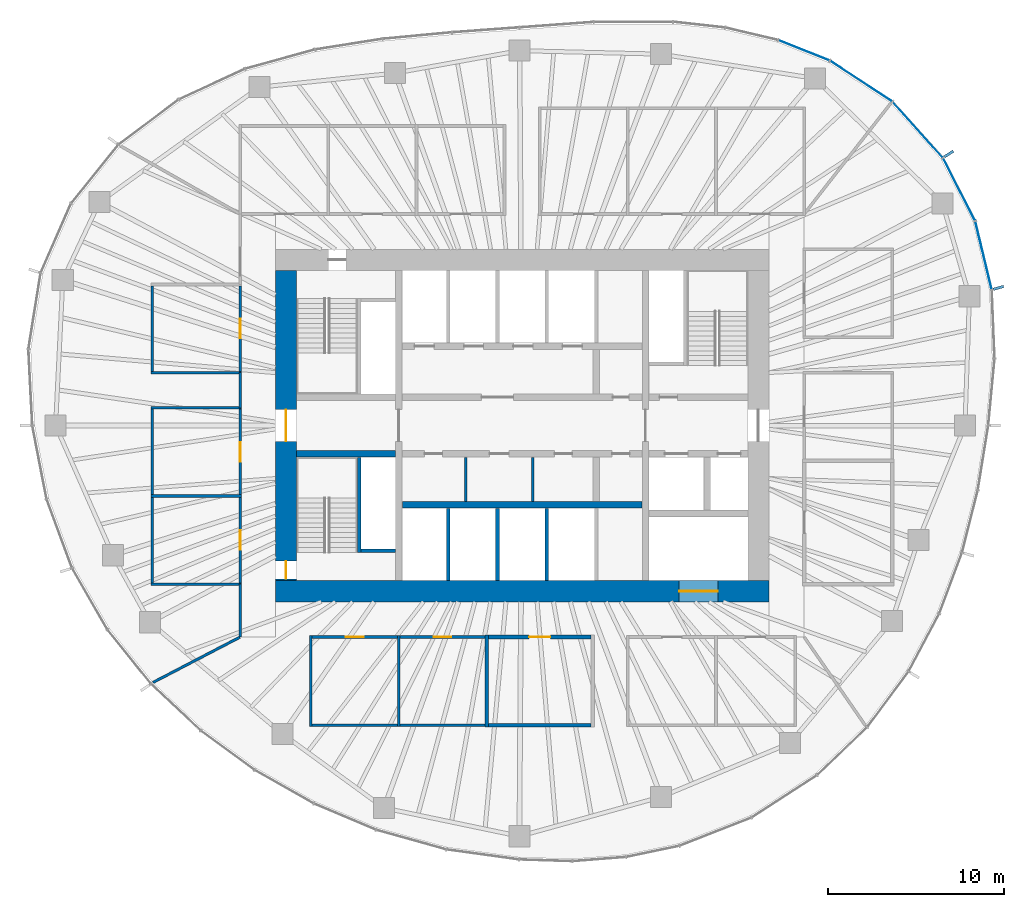
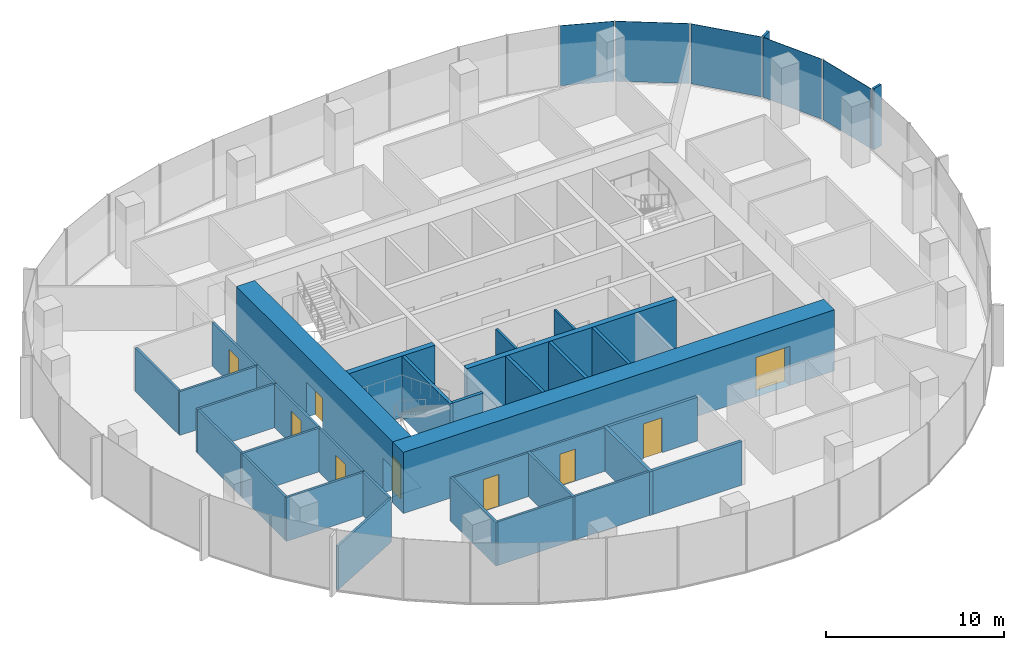
# One storey, part 8 of 12: 33 walls, 9 doors, 7 plates, 9 openings, 3 elements without a shape of their own.
"""IFC4 building model written with IfcOpenShell, lengths in metres."""

from ifc_helpers import new_model, si_unit, direction, frame, frame_2d, origin, origin_2d, place, context, subcontext, project, spatial, rectangle, extrude, material, layer, layer_set, type_object, element, fill, aggregate, save


model = new_model("IFC4")

# Units and contexts
model_context = context("Model", 3, precision=1e-05, world=origin(), true_north=direction((0.0, 1.0)))
body_context = subcontext(model_context, "Body", "Model", "MODEL_VIEW")
ifc_project = project(units=[si_unit("LENGTHUNIT", "METRE"), si_unit("AREAUNIT", "SQUARE_METRE"), si_unit("VOLUMEUNIT", "CUBIC_METRE"), si_unit("PLANEANGLEUNIT", "RADIAN"), si_unit("MASSUNIT", "GRAM", prefix="KILO")], contexts=[model_context])

# Site, building, storey
site_placement = place(None, origin())
site = spatial("IfcSite", under=ifc_project, at=site_placement, CompositionType="ELEMENT")
building_placement = place(site_placement, origin())
building = spatial("IfcBuilding", under=site, at=building_placement, Name="Ghaith Harvest Tower", CompositionType="ELEMENT")
storey_placement = place(building_placement, frame((0.0, 0.0, 249.39990234375)))
storey = spatial("IfcBuildingStorey", under=building, at=storey_placement, Name="L55", CompositionType="ELEMENT", Elevation=249.39990234375)

# Curtain wall, plates
ifc_material_1 = material(Name="Black anodised aluminium and fritted glass", Category="aluminium")
curtain_wall_type = type_object("IfcCurtainWallType", Name="CW-H CURTAIN WALL", PredefinedType="NOTDEFINED", material=ifc_material_1)
curtain_wall_1_placement = place(storey_placement, origin())
curtain_wall_1 = element("IfcCurtainWall", 1, at=curtain_wall_1_placement, inside=storey, type_object=curtain_wall_type, Name="Curtain wall CW-H bay 02 L55", PredefinedType="NOTDEFINED")
ifc_material_2 = material(Name="Glass, dark solar-control fritted double glazed unit", Category="glass")
ifc_layer_1 = layer(ifc_material_2, 0.030029296875)
ifc_layer_set_1 = layer_set([ifc_layer_1], Name="CW-H VISION PANEL")
plate_type_1 = type_object("IfcPlateType", Name="CW-H VISION PANEL", PredefinedType="CURTAIN_PANEL", material=ifc_layer_set_1)
plate_1_placement = place(storey_placement, frame((26.1767578125, 9.6533203125, 0.080078125), z_axis=(0.0, 0.0, 1.0), x_axis=(-0.233894000303, 0.972262102842, 0.0)))
plate_1 = element("IfcPlate", 2, at=plate_1_placement, type_object=plate_type_1, Name="CW-H glass unit 1 bay 02 L55", PredefinedType="CURTAIN_PANEL", context=body_context, shape_type="SweptSolid", body=[
    extrude(rectangle(XDim=3.935546875, YDim=0.030029296875, at=origin_2d()), origin(), (0.0, 0.0, 1.0), 4.1201171875),
])
plate_2_placement = place(storey_placement, frame((24.790771484375, 13.399658203125, 0.080078125), z_axis=(0.0, 0.0, 1.0), x_axis=(-0.454915320985, 0.890534699342, 0.0)))
plate_2 = element("IfcPlate", 3, at=plate_2_placement, type_object=plate_type_1, Name="CW-H glass unit 2 bay 02 L55", PredefinedType="CURTAIN_PANEL", context=body_context, shape_type="SweptSolid", body=[
    extrude(rectangle(XDim=3.949462890625, YDim=0.030029296875, at=origin_2d()), origin(), (0.0, 0.0, 1.0), 4.1201171875),
])
aggregate(curtain_wall_1, [plate_1, plate_2])

curtain_wall_2_placement = place(storey_placement, origin())
curtain_wall_2 = element("IfcCurtainWall", 4, at=curtain_wall_2_placement, inside=storey, type_object=curtain_wall_type, Name="Curtain wall CW-H bay 03 L55", PredefinedType="NOTDEFINED")
plate_3_placement = place(storey_placement, frame((22.44384765625, 16.783935546875, 0.080078125), z_axis=(0.0, 0.0, 1.0), x_axis=(-0.668757736889, 0.743480389352, 0.0)))
plate_3 = element("IfcPlate", 5, at=plate_3_placement, type_object=plate_type_1, Name="CW-H glass unit 1 bay 03 L55", PredefinedType="CURTAIN_PANEL", context=body_context, shape_type="SweptSolid", body=[
    extrude(rectangle(XDim=4.19775390625, YDim=0.030029296875, at=origin_2d()), origin(), (0.0, 0.0, 1.0), 4.1201171875),
])
plate_4_placement = place(storey_placement, frame((19.236328125, 19.539306640625, 0.080078125), z_axis=(0.0, 0.0, 1.0), x_axis=(-0.836276741583, 0.548307588392, 0.0)))
plate_4 = element("IfcPlate", 6, at=plate_4_placement, type_object=plate_type_1, Name="CW-H glass unit 2 bay 03 L55", PredefinedType="CURTAIN_PANEL", context=body_context, shape_type="SweptSolid", body=[
    extrude(rectangle(XDim=4.169677734375, YDim=0.030029296875, at=origin_2d()), origin(), (0.0, 0.0, 1.0), 4.1201171875),
])
aggregate(curtain_wall_2, [plate_3, plate_4])

# Curtain wall, plate
curtain_wall_3_placement = place(storey_placement, origin())
curtain_wall_3 = element("IfcCurtainWall", 7, at=curtain_wall_3_placement, inside=storey, type_object=curtain_wall_type, Name="Curtain wall CW-H bay 04 L55", PredefinedType="NOTDEFINED")
plate_5_placement = place(storey_placement, frame((15.993408203125, 21.287841796875, 0.080078125), z_axis=(0.0, 0.0, 1.0), x_axis=(-0.929107322045, 0.369810200133, 0.0)))
plate_5 = element("IfcPlate", 8, at=plate_5_placement, type_object=plate_type_1, Name="CW-H glass unit 1 bay 04 L55", PredefinedType="CURTAIN_PANEL", context=body_context, shape_type="SweptSolid", body=[
    extrude(rectangle(XDim=3.075927734375, YDim=0.030029296875, at=origin_2d()), origin(), (0.0, 0.0, 1.0), 4.1201171875),
])
aggregate(curtain_wall_3, [plate_5])

# Plates
ifc_material_3 = material(Name="Glassfibre-reinforced concrete", Category="concrete")
ifc_layer_2 = layer(ifc_material_3, 0.14990234375)
ifc_layer_set_2 = layer_set([ifc_layer_2], Name="SUN-BREAKER FIN 600x150")
plate_type_2 = type_object("IfcPlateType", Name="SUN-BREAKER FIN 600x150", PredefinedType="USERDEFINED", material=ifc_layer_set_2)
for number, where, z_axis, x_axis, name in (
    (9, (27.03076171875, 7.8125, 0.0), (0.0, 0.0, 1.0), (0.960680349985, 0.277656739792, 0.0), "Sun-breaker fin CW-H 1 bay 02 L55"),
    (10, (24.211669921875, 15.408447265625, 0.0), (0.0, 0.0, 1.0), (0.843643971464, 0.536903016766, 0.0), "Sun-breaker fin CW-H 1 bay 03 L55"),
):
    element("IfcPlate", number, at=place(storey_placement, frame(where, z_axis=z_axis, x_axis=x_axis)), inside=storey, type_object=plate_type_2, Name=name, ObjectType="SUN-BREAKER FIN", PredefinedType="USERDEFINED", context=body_context, shape_type="SweptSolid", body=[
        extrude(rectangle(XDim=0.60009765625, YDim=0.14990234375, at=origin_2d()), origin(), (0.0, 0.0, 1.0), 4.199951171875),
    ])

# Wall
ifc_material_4 = material(Name="Twin-stud gypsum board, acoustic", Category="gypsum")
ifc_layer_3 = layer(ifc_material_4, 0.199951171875)
ifc_layer_set_3 = layer_set([ifc_layer_3], Name="ACOUSTIC PARTITION 200")
wall_type_1 = type_object("IfcWallType", Name="ACOUSTIC PARTITION 200", PredefinedType="PARTITIONING", material=ifc_layer_set_3)
wall_1_placement = place(storey_placement, frame((-2.0, -11.89990234375, 0.0), z_axis=(0.0, 0.0, 1.0), x_axis=(0.0, -1.0, 0.0)))
element("IfcWall", 11, at=wall_1_placement, inside=storey, type_object=wall_type_1, Name="Partition L55 row S4 cross wall 3", PredefinedType="PARTITIONING", context=body_context, shape_type="SweptSolid", body=[
    extrude(rectangle(XDim=5.2001953125, YDim=0.199951171875, at=frame_2d((2.60009765625, 0.0))), origin(), (0.0, 0.0, 1.0), 3.0),
])

# Wall, opening, door
wall_2_placement = place(storey_placement, frame((-1.89990234375, -12.0, 0.0), z_axis=(0.0, 0.0, 1.0), x_axis=(1.0, 0.0, 0.0)))
wall_2 = element("IfcWall", 12, at=wall_2_placement, inside=storey, type_object=wall_type_1, Name="Partition L55-11", PredefinedType="PARTITIONING", context=body_context, shape_type="SweptSolid", body=[
    extrude(rectangle(XDim=5.7998046875, YDim=0.199951171875, at=frame_2d((2.89990234375, 0.0))), origin(), (0.0, 0.0, 1.0), 3.0),
])
opening_1_placement = place(wall_2_placement, frame((2.300048828125, 0.0, 0.0)))
opening_1 = element("IfcOpeningElement", 13, at=opening_1_placement, cuts=wall_2, Name="Opening 55-031", PredefinedType="OPENING", context=body_context, shape_type="SweptSolid", body=[
    extrude(rectangle(XDim=1.199951171875, YDim=2.39990234375, at=frame_2d((0.60009765625, 1.199951171875))), frame((0.0, 0.10986328125, 0.0), z_axis=(0.0, -1.0, 0.0), x_axis=(1.0, 0.0, 0.0)), (0.0, 0.0, 1.0), 0.219970703125),
])
ifc_material_5 = material(Name="Timber door", Category="wood")
door_type_1 = type_object("IfcDoorType", Name="D11 GLAZED 1200x2400", OperationType="SINGLE_SWING_LEFT", PredefinedType="DOOR", material=ifc_material_5)
door_1_placement = place(opening_1_placement, origin())
door_1 = element("IfcDoor", 14, at=door_1_placement, inside=storey, type_object=door_type_1, Name="Meeting room door", OperationType="SINGLE_SWING_LEFT", OverallHeight=2.39990234375, OverallWidth=1.199951171875, PredefinedType="DOOR", context=body_context, shape_type="SweptSolid", body=[
    extrude(rectangle(XDim=1.199951171875, YDim=2.39990234375, at=frame_2d((0.60009765625, 1.199951171875))), frame((0.0, 0.02490234375, 0.0), z_axis=(0.0, -1.0, 0.0), x_axis=(1.0, 0.0, 0.0)), (0.0, 0.0, 1.0), 0.050048828125),
])
fill(opening_1, door_1)

# Walls
wall_3_placement = place(storey_placement, frame((-1.89990234375, -17.0, 0.0), z_axis=(0.0, 0.0, 1.0), x_axis=(1.0, 0.0, 0.0)))
element("IfcWall", 15, at=wall_3_placement, inside=storey, type_object=wall_type_1, Name="Partition L55-11", PredefinedType="PARTITIONING", context=body_context, shape_type="SweptSolid", body=[
    extrude(rectangle(XDim=5.7998046875, YDim=0.199951171875, at=frame_2d((2.89990234375, 0.0))), origin(), (0.0, 0.0, 1.0), 3.0),
])
ifc_material_6 = material(Name="Concrete blockwork, fair-faced", Category="masonry")
ifc_layer_4 = layer(ifc_material_6, 0.139892578125)
ifc_layer_set_4 = layer_set([ifc_layer_4], Name="CORE PARTITION 140")
wall_type_2 = type_object("IfcWallType", Name="CORE PARTITION 140", PredefinedType="PARTITIONING", material=ifc_layer_set_4)
for number, where, z_axis, x_axis, name in (
    (16, (-3.199951171875, -1.800048828125, 0.0), (0.0, 0.0, 1.0), (0.0, -1.0, 0.0), "Core partition L55"),
    (17, (0.60009765625, -1.800048828125, 0.0), (0.0, 0.0, 1.0), (0.0, -1.0, 0.0), "Core partition L55"),
):
    element("IfcWall", number, at=place(storey_placement, frame(where, z_axis=z_axis, x_axis=x_axis)), inside=storey, type_object=wall_type_2, Name=name, PredefinedType="PARTITIONING", context=body_context, shape_type="SweptSolid", body=[
        extrude(rectangle(XDim=2.5, YDim=0.139892578125, at=frame_2d((1.25, 0.0))), origin(), (0.0, 0.0, 1.0), 3.9501953125),
    ])

# Wall, opening, door
ifc_material_7 = material(Name="Concrete C60/75", Category="concrete")
ifc_layer_5 = layer(ifc_material_7, 1.199951171875)
ifc_layer_set_5 = layer_set([ifc_layer_5], Name="CORE WALL CW1200 C60")
wall_type_3 = type_object("IfcWallType", Name="CORE WALL CW1200 C60", PredefinedType="SHEAR", material=ifc_layer_set_5)
wall_4_placement = place(storey_placement, frame((-14.0, -9.39990234375, 0.0), z_axis=(0.0, 0.0, 1.0), x_axis=(1.0, 0.0, 0.0)))
wall_4 = element("IfcWall", 18, at=wall_4_placement, inside=storey, type_object=wall_type_3, Name="Core wall S L55", PredefinedType="SHEAR", context=body_context, shape_type="SweptSolid", body=[
    extrude(rectangle(XDim=28.0, YDim=1.199951171875, at=frame_2d((14.0, 0.0))), origin(), (0.0, 0.0, 1.0), 4.2001953125),
])
opening_2_placement = place(wall_4_placement, frame((22.89990234375, 0.0, 0.0)))
opening_2 = element("IfcOpeningElement", 19, at=opening_2_placement, cuts=wall_4, Name="Opening 55-020", PredefinedType="OPENING", context=body_context, shape_type="SweptSolid", body=[
    extrude(rectangle(XDim=2.199951171875, YDim=2.699951171875, at=frame_2d((1.10009765625, 1.35009765625))), frame((0.0, 0.60986328125, 0.0), z_axis=(0.0, -1.0, 0.0), x_axis=(1.0, 0.0, 0.0)), (0.0, 0.0, 1.0), 1.219970703125),
])
ifc_material_8 = material(Name="Steel fire door", Category="steel")
door_type_2 = type_object("IfcDoorType", Name="LD3 LANDING 2200x2700", OperationType="DOUBLE_DOOR_SLIDING", PredefinedType="DOOR", material=ifc_material_8)
door_2_placement = place(opening_2_placement, origin())
door_2 = element("IfcDoor", 20, at=door_2_placement, inside=storey, type_object=door_type_2, Name="Landing door, goods lift GL1", OperationType="DOUBLE_DOOR_SLIDING", OverallHeight=2.699951171875, OverallWidth=2.199951171875, PredefinedType="DOOR", context=body_context, shape_type="SweptSolid", body=[
    extrude(rectangle(XDim=2.199951171875, YDim=2.699951171875, at=frame_2d((1.10009765625, 1.35009765625))), frame((0.0, 0.02490234375, 0.0), z_axis=(0.0, -1.0, 0.0), x_axis=(1.0, 0.0, 0.0)), (0.0, 0.0, 1.0), 0.050048828125),
])
fill(opening_2, door_2)

# Wall, openings, doors
wall_5_placement = place(storey_placement, frame((-13.39990234375, 8.800048828125, 0.0), z_axis=(0.0, 0.0, 1.0), x_axis=(0.0, -1.0, 0.0)))
wall_5 = element("IfcWall", 21, at=wall_5_placement, inside=storey, type_object=wall_type_3, Name="Core wall W L55", PredefinedType="SHEAR", context=body_context, shape_type="SweptSolid", body=[
    extrude(rectangle(XDim=17.60009765625, YDim=1.199951171875, at=frame_2d((8.800048828125, 0.0))), origin(), (0.0, 0.0, 1.0), 4.2001953125),
])
opening_3_placement = place(wall_5_placement, frame((7.89990234375, 0.0, 0.0)))
opening_3 = element("IfcOpeningElement", 22, at=opening_3_placement, cuts=wall_5, Name="Opening 55-001", PredefinedType="OPENING", context=body_context, shape_type="SweptSolid", body=[
    extrude(rectangle(XDim=1.800048828125, YDim=2.39990234375, at=frame_2d((0.89990234375, 1.199951171875))), frame((0.0, 0.60986328125, 0.0), z_axis=(0.0, -1.0, 0.0), x_axis=(1.0, 0.0, 0.0)), (0.0, 0.0, 1.0), 1.219970703125),
])
opening_4_placement = place(wall_5_placement, frame((16.5, 0.0, 0.0)))
opening_4 = element("IfcOpeningElement", 23, at=opening_4_placement, cuts=wall_5, Name="Opening 55-006", PredefinedType="OPENING", context=body_context, shape_type="SweptSolid", body=[
    extrude(rectangle(XDim=1.0, YDim=2.39990234375, at=frame_2d((0.5, 1.199951171875))), frame((0.0, 0.60986328125, 0.0), z_axis=(0.0, -1.0, 0.0), x_axis=(1.0, 0.0, 0.0)), (0.0, 0.0, 1.0), 1.219970703125),
])
ifc_material_9 = material(Name="Steel fire door", Category="steel")
door_type_3 = type_object("IfcDoorType", Name="D3 FD90 1000x2400", OperationType="SINGLE_SWING_LEFT", PredefinedType="DOOR", material=ifc_material_9)
door_3_placement = place(opening_4_placement, origin())
door_3 = element("IfcDoor", 24, at=door_3_placement, inside=storey, type_object=door_type_3, Name="Stair ST3 door", OperationType="SINGLE_SWING_RIGHT", OverallHeight=2.39990234375, OverallWidth=1.0, PredefinedType="DOOR", context=body_context, shape_type="SweptSolid", body=[
    extrude(rectangle(XDim=1.0, YDim=2.39990234375, at=frame_2d((0.5, 1.199951171875))), frame((0.0, 0.02490234375, 0.0), z_axis=(0.0, -1.0, 0.0), x_axis=(1.0, 0.0, 0.0)), (0.0, 0.0, 1.0), 0.050048828125),
])
fill(opening_4, door_3)
ifc_material_10 = material(Name="Steel fire door", Category="steel")
door_type_4 = type_object("IfcDoorType", Name="D4 FD90 PAIR 1800x2400", OperationType="DOUBLE_DOOR_SINGLE_SWING", PredefinedType="DOOR", material=ifc_material_10)
door_4_placement = place(opening_3_placement, origin())
door_4 = element("IfcDoor", 25, at=door_4_placement, inside=storey, type_object=door_type_4, Name="West lobby doors", OperationType="DOUBLE_DOOR_SINGLE_SWING", OverallHeight=2.39990234375, OverallWidth=1.800048828125, PredefinedType="DOOR", context=body_context, shape_type="SweptSolid", body=[
    extrude(rectangle(XDim=1.800048828125, YDim=2.39990234375, at=frame_2d((0.89990234375, 1.199951171875))), frame((0.0, 0.02490234375, 0.0), z_axis=(0.0, -1.0, 0.0), x_axis=(1.0, 0.0, 0.0)), (0.0, 0.0, 1.0), 0.050048828125),
])
fill(opening_3, door_4)

# Walls
ifc_material_11 = material(Name="Concrete blockwork, 2-hour", Category="masonry")
ifc_layer_6 = layer(ifc_material_11, 0.199951171875)
ifc_layer_set_6 = layer_set([ifc_layer_6], Name="LIFT SHAFT WALL 200")
wall_type_4 = type_object("IfcWallType", Name="LIFT SHAFT WALL 200", PredefinedType="PARTITIONING", material=ifc_layer_set_6)
for number, where, z_axis, x_axis, name in (
    (26, (-4.199951171875, -4.699951171875, 0.0), (0.0, 0.0, 1.0), (0.0, -1.0, 0.0), "Lift shaft wall L55"),
    (27, (-1.39990234375, -4.699951171875, 0.0), (0.0, 0.0, 1.0), (0.0, -1.0, 0.0), "Lift shaft wall L55"),
    (28, (1.39990234375, -4.699951171875, 0.0), (0.0, 0.0, 1.0), (0.0, -1.0, 0.0), "Lift shaft wall L55"),
):
    element("IfcWall", number, at=place(storey_placement, frame(where, z_axis=z_axis, x_axis=x_axis)), inside=storey, type_object=wall_type_4, Name=name, PredefinedType="PARTITIONING", context=body_context, shape_type="SweptSolid", body=[
        extrude(rectangle(XDim=4.10009765625, YDim=0.199951171875, at=frame_2d((2.050048828125, 0.0))), origin(), (0.0, 0.0, 1.0), 4.2001953125),
    ])
ifc_material_12 = material(Name="Gypsum board on steel studs", Category="steel")
ifc_layer_7 = layer(ifc_material_12, 0.14990234375)
ifc_layer_set_7 = layer_set([ifc_layer_7], Name="PARTITION 150")
wall_type_5 = type_object("IfcWallType", Name="PARTITION 150", PredefinedType="PARTITIONING", material=ifc_layer_set_7)
for number, where, z_axis, x_axis, name in (
    (29, (-12.0, -11.925048828125, 0.0), (0.0, 0.0, 1.0), (0.0, -1.0, 0.0), "Partition L55 row S4 cross wall 1"),
    (30, (-7.0, -11.925048828125, 0.0), (0.0, 0.0, 1.0), (0.0, -1.0, 0.0), "Partition L55 row S4 cross wall 2"),
):
    element("IfcWall", number, at=place(storey_placement, frame(where, z_axis=z_axis, x_axis=x_axis)), inside=storey, type_object=wall_type_5, Name=name, PredefinedType="PARTITIONING", context=body_context, shape_type="SweptSolid", body=[
        extrude(rectangle(XDim=5.14990234375, YDim=0.14990234375, at=frame_2d((2.574951171875, 0.0))), origin(), (0.0, 0.0, 1.0), 3.0),
    ])

# Wall, opening, door
wall_6_placement = place(storey_placement, frame((-11.925048828125, -12.0, 0.0), z_axis=(0.0, 0.0, 1.0), x_axis=(1.0, 0.0, 0.0)))
wall_6 = element("IfcWall", 31, at=wall_6_placement, inside=storey, type_object=wall_type_5, Name="Partition L55-09", PredefinedType="PARTITIONING", context=body_context, shape_type="SweptSolid", body=[
    extrude(rectangle(XDim=4.85009765625, YDim=0.14990234375, at=frame_2d((2.425048828125, 0.0))), origin(), (0.0, 0.0, 1.0), 3.0),
])
opening_5_placement = place(wall_6_placement, frame((1.925048828125, 0.0, 0.0)))
opening_5 = element("IfcOpeningElement", 32, at=opening_5_placement, cuts=wall_6, Name="Opening 55-029", PredefinedType="OPENING", context=body_context, shape_type="SweptSolid", body=[
    extrude(rectangle(XDim=1.0, YDim=2.199951171875, at=frame_2d((0.5, 1.10009765625))), frame((0.0, 0.0849609375, 0.0), z_axis=(0.0, -1.0, 0.0), x_axis=(1.0, 0.0, 0.0)), (0.0, 0.0, 1.0), 0.169921875),
])
ifc_material_13 = material(Name="Timber door", Category="wood")
door_type_5 = type_object("IfcDoorType", Name="D1 SINGLE 1000x2200", OperationType="SINGLE_SWING_LEFT", PredefinedType="DOOR", material=ifc_material_13)
door_5_placement = place(opening_5_placement, origin())
door_5 = element("IfcDoor", 33, at=door_5_placement, inside=storey, type_object=door_type_5, Name="Store door", OperationType="SINGLE_SWING_LEFT", OverallHeight=2.199951171875, OverallWidth=1.0, PredefinedType="DOOR", context=body_context, shape_type="SweptSolid", body=[
    extrude(rectangle(XDim=1.0, YDim=2.199951171875, at=frame_2d((0.5, 1.10009765625))), frame((0.0, 0.02490234375, 0.0), z_axis=(0.0, -1.0, 0.0), x_axis=(1.0, 0.0, 0.0)), (0.0, 0.0, 1.0), 0.050048828125),
])
fill(opening_5, door_5)

# Wall
wall_7_placement = place(storey_placement, frame((-11.925048828125, -17.0, 0.0), z_axis=(0.0, 0.0, 1.0), x_axis=(1.0, 0.0, 0.0)))
element("IfcWall", 34, at=wall_7_placement, inside=storey, type_object=wall_type_5, Name="Partition L55-09", PredefinedType="PARTITIONING", context=body_context, shape_type="SweptSolid", body=[
    extrude(rectangle(XDim=4.85009765625, YDim=0.14990234375, at=frame_2d((2.425048828125, 0.0))), origin(), (0.0, 0.0, 1.0), 3.0),
])

# Wall, opening, door
wall_8_placement = place(storey_placement, frame((-6.925048828125, -12.0, 0.0), z_axis=(0.0, 0.0, 1.0), x_axis=(1.0, 0.0, 0.0)))
wall_8 = element("IfcWall", 35, at=wall_8_placement, inside=storey, type_object=wall_type_5, Name="Partition L55-10", PredefinedType="PARTITIONING", context=body_context, shape_type="SweptSolid", body=[
    extrude(rectangle(XDim=4.824951171875, YDim=0.14990234375, at=frame_2d((2.41259765625, 0.0))), origin(), (0.0, 0.0, 1.0), 3.0),
])
opening_6_placement = place(wall_8_placement, frame((1.91259765625, 0.0, 0.0)))
opening_6 = element("IfcOpeningElement", 36, at=opening_6_placement, cuts=wall_8, Name="Opening 55-030", PredefinedType="OPENING", context=body_context, shape_type="SweptSolid", body=[
    extrude(rectangle(XDim=1.0, YDim=2.199951171875, at=frame_2d((0.5, 1.10009765625))), frame((0.0, 0.0849609375, 0.0), z_axis=(0.0, -1.0, 0.0), x_axis=(1.0, 0.0, 0.0)), (0.0, 0.0, 1.0), 0.169921875),
])
door_6_placement = place(opening_6_placement, origin())
door_6 = element("IfcDoor", 37, at=door_6_placement, inside=storey, type_object=door_type_5, Name="Pantry door", OperationType="SINGLE_SWING_LEFT", OverallHeight=2.199951171875, OverallWidth=1.0, PredefinedType="DOOR", context=body_context, shape_type="SweptSolid", body=[
    extrude(rectangle(XDim=1.0, YDim=2.199951171875, at=frame_2d((0.5, 1.10009765625))), frame((0.0, 0.02490234375, 0.0), z_axis=(0.0, -1.0, 0.0), x_axis=(1.0, 0.0, 0.0)), (0.0, 0.0, 1.0), 0.050048828125),
])
fill(opening_6, door_6)

# Walls
wall_9_placement = place(storey_placement, frame((-6.925048828125, -17.0, 0.0), z_axis=(0.0, 0.0, 1.0), x_axis=(1.0, 0.0, 0.0)))
element("IfcWall", 38, at=wall_9_placement, inside=storey, type_object=wall_type_5, Name="Partition L55-10", PredefinedType="PARTITIONING", context=body_context, shape_type="SweptSolid", body=[
    extrude(rectangle(XDim=4.824951171875, YDim=0.14990234375, at=frame_2d((2.41259765625, 0.0))), origin(), (0.0, 0.0, 1.0), 3.0),
])
for number, where, z_axis, x_axis, name in (
    (39, (-15.925048828125, -9.0, 0.0), (0.0, 0.0, 1.0), (-1.0, 0.0, 0.0), "Partition L55 row W5 cross wall 1"),
    (40, (-15.925048828125, -4.0, 0.0), (0.0, 0.0, 1.0), (-1.0, 0.0, 0.0), "Partition L55 row W5 cross wall 2"),
    (41, (-15.925048828125, 1.0, 0.0), (0.0, 0.0, 1.0), (-1.0, 0.0, 0.0), "Partition L55 row W5 cross wall 3"),
):
    element("IfcWall", number, at=place(storey_placement, frame(where, z_axis=z_axis, x_axis=x_axis)), inside=storey, type_object=wall_type_5, Name=name, PredefinedType="PARTITIONING", context=body_context, shape_type="SweptSolid", body=[
        extrude(rectangle(XDim=5.14990234375, YDim=0.14990234375, at=frame_2d((2.574951171875, 0.0))), origin(), (0.0, 0.0, 1.0), 3.0),
    ])

# Wall, opening, door
wall_10_placement = place(storey_placement, frame((-16.0, -8.925048828125, 0.0), z_axis=(0.0, 0.0, 1.0), x_axis=(0.0, 1.0, 0.0)))
wall_10 = element("IfcWall", 42, at=wall_10_placement, inside=storey, type_object=wall_type_5, Name="Partition L55-12", PredefinedType="PARTITIONING", context=body_context, shape_type="SweptSolid", body=[
    extrude(rectangle(XDim=4.85009765625, YDim=0.14990234375, at=frame_2d((2.425048828125, 0.0))), origin(), (0.0, 0.0, 1.0), 3.0),
])
opening_7_placement = place(wall_10_placement, frame((1.875, 0.0, 0.0)))
opening_7 = element("IfcOpeningElement", 43, at=opening_7_placement, cuts=wall_10, Name="Opening 55-032", PredefinedType="OPENING", context=body_context, shape_type="SweptSolid", body=[
    extrude(rectangle(XDim=1.10009765625, YDim=2.300048828125, at=frame_2d((0.550048828125, 1.14990234375))), frame((0.0, 0.0849609375, 0.0), z_axis=(0.0, -1.0, 0.0), x_axis=(1.0, 0.0, 0.0)), (0.0, 0.0, 1.0), 0.169921875),
])
ifc_material_14 = material(Name="Timber-framed glazed door", Category="wood")
door_type_6 = type_object("IfcDoorType", Name="D12 GLAZED OFFICE 1100x2300", OperationType="SINGLE_SWING_LEFT", PredefinedType="DOOR", material=ifc_material_14)
door_7_placement = place(opening_7_placement, origin())
door_7 = element("IfcDoor", 44, at=door_7_placement, inside=storey, type_object=door_type_6, Name="Executive office door", OperationType="SINGLE_SWING_LEFT", OverallHeight=2.300048828125, OverallWidth=1.10009765625, PredefinedType="DOOR", context=body_context, shape_type="SweptSolid", body=[
    extrude(rectangle(XDim=1.10009765625, YDim=2.300048828125, at=frame_2d((0.550048828125, 1.14990234375))), frame((0.0, 0.02490234375, 0.0), z_axis=(0.0, -1.0, 0.0), x_axis=(1.0, 0.0, 0.0)), (0.0, 0.0, 1.0), 0.050048828125),
])
fill(opening_7, door_7)

# Wall
wall_11_placement = place(storey_placement, frame((-21.0, -8.925048828125, 0.0), z_axis=(0.0, 0.0, 1.0), x_axis=(0.0, 1.0, 0.0)))
element("IfcWall", 45, at=wall_11_placement, inside=storey, type_object=wall_type_5, Name="Partition L55-12", PredefinedType="PARTITIONING", context=body_context, shape_type="SweptSolid", body=[
    extrude(rectangle(XDim=4.85009765625, YDim=0.14990234375, at=frame_2d((2.425048828125, 0.0))), origin(), (0.0, 0.0, 1.0), 3.0),
])

# Wall, opening, door
wall_12_placement = place(storey_placement, frame((-16.0, -3.925048828125, 0.0), z_axis=(0.0, 0.0, 1.0), x_axis=(0.0, 1.0, 0.0)))
wall_12 = element("IfcWall", 46, at=wall_12_placement, inside=storey, type_object=wall_type_5, Name="Partition L55-13", PredefinedType="PARTITIONING", context=body_context, shape_type="SweptSolid", body=[
    extrude(rectangle(XDim=4.85009765625, YDim=0.14990234375, at=frame_2d((2.425048828125, 0.0))), origin(), (0.0, 0.0, 1.0), 3.0),
])
opening_8_placement = place(wall_12_placement, frame((1.875, 0.0, 0.0)))
opening_8 = element("IfcOpeningElement", 47, at=opening_8_placement, cuts=wall_12, Name="Opening 55-033", PredefinedType="OPENING", context=body_context, shape_type="SweptSolid", body=[
    extrude(rectangle(XDim=1.10009765625, YDim=2.300048828125, at=frame_2d((0.550048828125, 1.14990234375))), frame((0.0, 0.0849609375, 0.0), z_axis=(0.0, -1.0, 0.0), x_axis=(1.0, 0.0, 0.0)), (0.0, 0.0, 1.0), 0.169921875),
])
door_8_placement = place(opening_8_placement, origin())
door_8 = element("IfcDoor", 48, at=door_8_placement, inside=storey, type_object=door_type_6, Name="Executive office door", OperationType="SINGLE_SWING_LEFT", OverallHeight=2.300048828125, OverallWidth=1.10009765625, PredefinedType="DOOR", context=body_context, shape_type="SweptSolid", body=[
    extrude(rectangle(XDim=1.10009765625, YDim=2.300048828125, at=frame_2d((0.550048828125, 1.14990234375))), frame((0.0, 0.02490234375, 0.0), z_axis=(0.0, -1.0, 0.0), x_axis=(1.0, 0.0, 0.0)), (0.0, 0.0, 1.0), 0.050048828125),
])
fill(opening_8, door_8)

# Walls
wall_13_placement = place(storey_placement, frame((-21.0, -3.925048828125, 0.0), z_axis=(0.0, 0.0, 1.0), x_axis=(0.0, 1.0, 0.0)))
element("IfcWall", 49, at=wall_13_placement, inside=storey, type_object=wall_type_5, Name="Partition L55-13", PredefinedType="PARTITIONING", context=body_context, shape_type="SweptSolid", body=[
    extrude(rectangle(XDim=4.85009765625, YDim=0.14990234375, at=frame_2d((2.425048828125, 0.0))), origin(), (0.0, 0.0, 1.0), 3.0),
])
wall_14_placement = place(storey_placement, frame((-15.925048828125, 3.0, 0.0), z_axis=(0.0, 0.0, 1.0), x_axis=(-1.0, 0.0, 0.0)))
element("IfcWall", 50, at=wall_14_placement, inside=storey, type_object=wall_type_5, Name="Partition L55 row W8 cross wall 1", PredefinedType="PARTITIONING", context=body_context, shape_type="SweptSolid", body=[
    extrude(rectangle(XDim=5.14990234375, YDim=0.14990234375, at=frame_2d((2.574951171875, 0.0))), origin(), (0.0, 0.0, 1.0), 3.0),
])

# Wall, opening, door
wall_15_placement = place(storey_placement, frame((-16.0, 3.074951171875, 0.0), z_axis=(0.0, 0.0, 1.0), x_axis=(0.0, 1.0, 0.0)))
wall_15 = element("IfcWall", 51, at=wall_15_placement, inside=storey, type_object=wall_type_5, Name="Partition L55-17", PredefinedType="PARTITIONING", context=body_context, shape_type="SweptSolid", body=[
    extrude(rectangle(XDim=4.85009765625, YDim=0.14990234375, at=frame_2d((2.425048828125, 0.0))), origin(), (0.0, 0.0, 1.0), 3.0),
])
opening_9_placement = place(wall_15_placement, frame((1.875, 0.0, 0.0)))
opening_9 = element("IfcOpeningElement", 52, at=opening_9_placement, cuts=wall_15, Name="Opening 55-037", PredefinedType="OPENING", context=body_context, shape_type="SweptSolid", body=[
    extrude(rectangle(XDim=1.10009765625, YDim=2.300048828125, at=frame_2d((0.550048828125, 1.14990234375))), frame((0.0, 0.0849609375, 0.0), z_axis=(0.0, -1.0, 0.0), x_axis=(1.0, 0.0, 0.0)), (0.0, 0.0, 1.0), 0.169921875),
])
door_9_placement = place(opening_9_placement, origin())
door_9 = element("IfcDoor", 53, at=door_9_placement, inside=storey, type_object=door_type_6, Name="Executive office door", OperationType="SINGLE_SWING_LEFT", OverallHeight=2.300048828125, OverallWidth=1.10009765625, PredefinedType="DOOR", context=body_context, shape_type="SweptSolid", body=[
    extrude(rectangle(XDim=1.10009765625, YDim=2.300048828125, at=frame_2d((0.550048828125, 1.14990234375))), frame((0.0, 0.02490234375, 0.0), z_axis=(0.0, -1.0, 0.0), x_axis=(1.0, 0.0, 0.0)), (0.0, 0.0, 1.0), 0.050048828125),
])
fill(opening_9, door_9)

# Walls
wall_16_placement = place(storey_placement, frame((-21.0, 3.074951171875, 0.0), z_axis=(0.0, 0.0, 1.0), x_axis=(0.0, 1.0, 0.0)))
element("IfcWall", 54, at=wall_16_placement, inside=storey, type_object=wall_type_5, Name="Partition L55-17", PredefinedType="PARTITIONING", context=body_context, shape_type="SweptSolid", body=[
    extrude(rectangle(XDim=4.85009765625, YDim=0.14990234375, at=frame_2d((2.425048828125, 0.0))), origin(), (0.0, 0.0, 1.0), 3.0),
])
wall_17_placement = place(storey_placement, frame((-16.017578125, -12.00927734375, 0.0), z_axis=(0.0, 0.0, 1.0), x_axis=(-0.886831549241, -0.462092851351, 0.0)))
element("IfcWall", 55, at=wall_17_placement, inside=storey, type_object=wall_type_5, Name="Partition L55 zone division", PredefinedType="PARTITIONING", context=body_context, shape_type="SweptSolid", body=[
    extrude(rectangle(XDim=5.555419921875, YDim=0.14990234375, at=frame_2d((2.77783203125, 0.0))), origin(), (0.0, 0.0, 1.0), 3.0),
])
wall_18_placement = place(storey_placement, frame((-16.0, -9.0, 0.0), z_axis=(0.0, 0.0, 1.0), x_axis=(0.0, -1.0, 0.0)))
element("IfcWall", 56, at=wall_18_placement, inside=storey, type_object=wall_type_5, Name="Partition L55 zone enclosure", PredefinedType="PARTITIONING", context=body_context, shape_type="SweptSolid", body=[
    extrude(rectangle(XDim=3.0, YDim=0.14990234375, at=frame_2d((1.5, 0.0))), origin(), (0.0, 0.0, 1.0), 3.0),
])
wall_19_placement = place(storey_placement, frame((-16.0, 3.0, 0.0), z_axis=(0.0, 0.0, 1.0), x_axis=(0.0, -1.0, 0.0)))
element("IfcWall", 57, at=wall_19_placement, inside=storey, type_object=wall_type_5, Name="Partition L55 zone enclosure", PredefinedType="PARTITIONING", context=body_context, shape_type="SweptSolid", body=[
    extrude(rectangle(XDim=2.0, YDim=0.14990234375, at=frame_2d((1.0, 0.0))), origin(), (0.0, 0.0, 1.0), 3.0),
])
ifc_material_15 = material(Name="Concrete C60/75", Category="concrete")
ifc_layer_8 = layer(ifc_material_15, 0.35009765625)
ifc_layer_set_8 = layer_set([ifc_layer_8], Name="SHAFT WALL 350")
wall_type_6 = type_object("IfcWallType", Name="SHAFT WALL 350", PredefinedType="SHEAR", material=ifc_layer_set_8)
wall_20_placement = place(storey_placement, frame((-6.800048828125, -4.5, 0.0), z_axis=(0.0, 0.0, 1.0), x_axis=(1.0, 0.0, 0.0)))
element("IfcWall", 58, at=wall_20_placement, inside=storey, type_object=wall_type_6, Name="Shaft wall BS L55", PredefinedType="SHEAR", context=body_context, shape_type="SweptSolid", body=[
    extrude(rectangle(XDim=13.60009765625, YDim=0.35009765625, at=frame_2d((6.800048828125, 0.0))), origin(), (0.0, 0.0, 1.0), 4.2001953125),
])
wall_21_placement = place(storey_placement, frame((-12.800048828125, -1.60009765625, 0.0), z_axis=(0.0, 0.0, 1.0), x_axis=(1.0, 0.0, 0.0)))
element("IfcWall", 59, at=wall_21_placement, inside=storey, type_object=wall_type_6, Name="Shaft wall WS L55", PredefinedType="SHEAR", context=body_context, shape_type="SweptSolid", body=[
    extrude(rectangle(XDim=5.60009765625, YDim=0.35009765625, at=frame_2d((2.800048828125, 0.0))), origin(), (0.0, 0.0, 1.0), 4.2001953125),
])
ifc_material_16 = material(Name="Concrete C40/50", Category="concrete")
ifc_layer_9 = layer(ifc_material_16, 0.199951171875)
ifc_layer_set_9 = layer_set([ifc_layer_9], Name="STAIR SPINE WALL RC200")
wall_type_7 = type_object("IfcWallType", Name="STAIR SPINE WALL RC200", PredefinedType="SOLIDWALL", material=ifc_layer_set_9)
wall_22_placement = place(storey_placement, frame((-9.25, -7.199951171875, 0.0), z_axis=(0.0, 0.0, 1.0), x_axis=(0.0, 1.0, 0.0)))
element("IfcWall", 60, at=wall_22_placement, inside=storey, type_object=wall_type_7, Name="Stair ST3 spine wall L55", PredefinedType="SOLIDWALL", context=body_context, shape_type="SweptSolid", body=[
    extrude(rectangle(XDim=5.39990234375, YDim=0.199951171875, at=frame_2d((2.699951171875, 0.0))), origin(), (0.0, 0.0, 1.0), 4.2001953125),
])
wall_23_placement = place(storey_placement, frame((-9.14990234375, -7.10009765625, 0.0), z_axis=(0.0, 0.0, 1.0), x_axis=(1.0, 0.0, 0.0)))
element("IfcWall", 61, at=wall_23_placement, inside=storey, type_object=wall_type_7, Name="Stair ST3 spine wall return L55", PredefinedType="SOLIDWALL", context=body_context, shape_type="SweptSolid", body=[
    extrude(rectangle(XDim=1.949951171875, YDim=0.199951171875, at=frame_2d((0.97509765625, 0.0))), origin(), (0.0, 0.0, 1.0), 4.2001953125),
])

save(model, "model.ifc")
